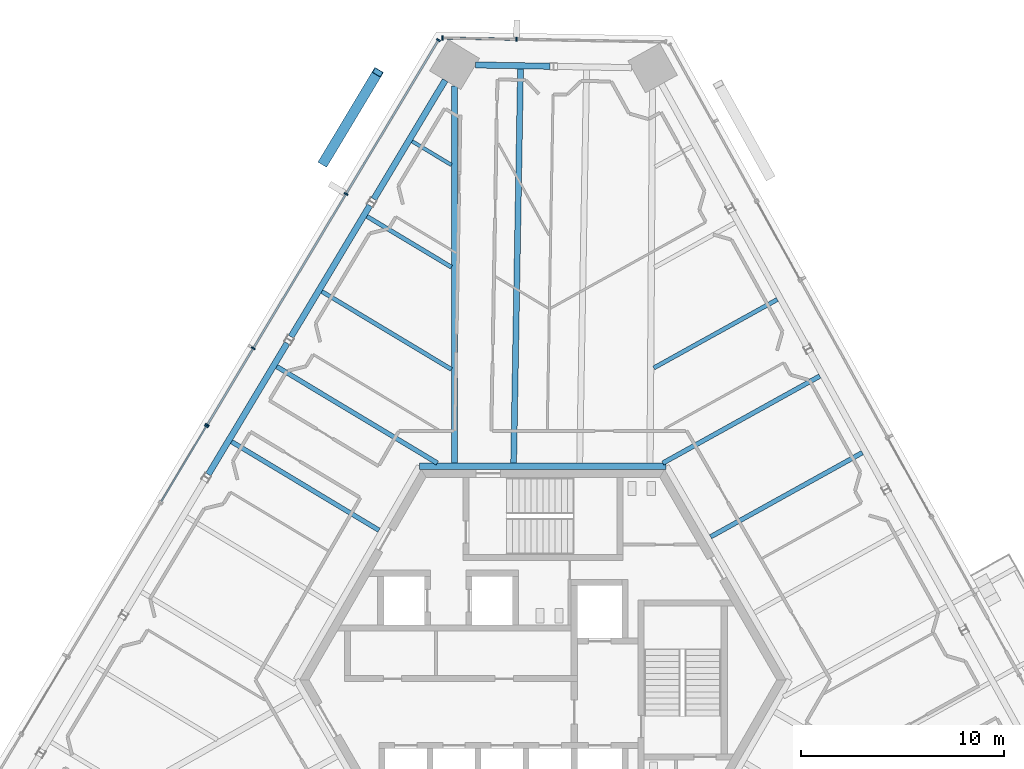
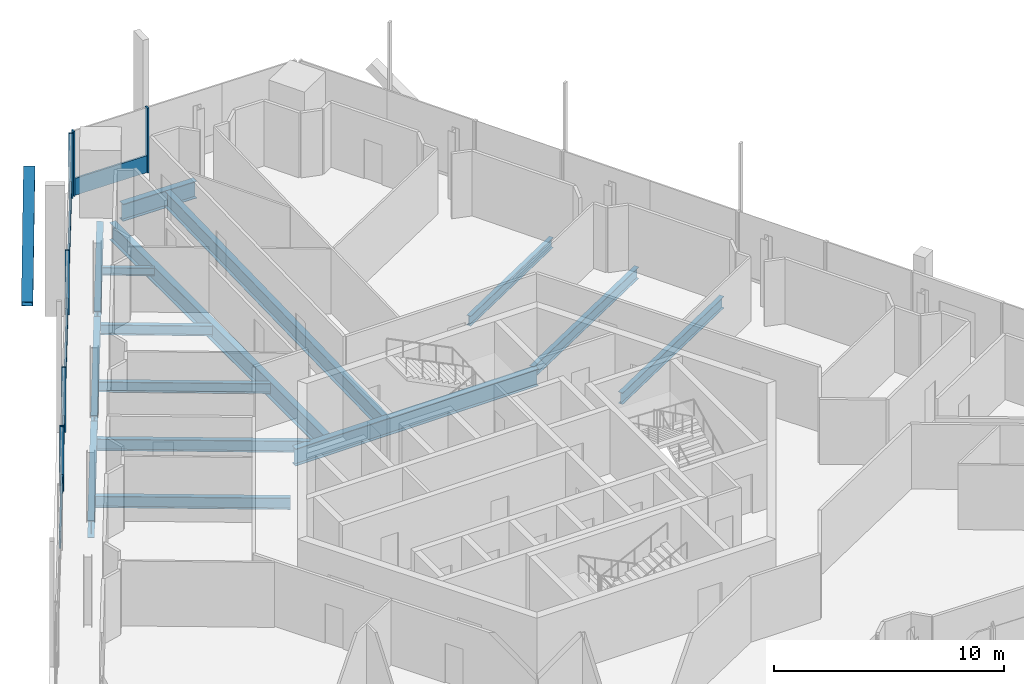
# One storey, part 8 of 22: 15 beams, 13 members, 3 elements without a shape of their own.
"""IFC4 building model written with IfcOpenShell, lengths in metres."""

from ifc_helpers import new_model, si_unit, direction, frame, origin, origin_2d, place, context, subcontext, project, spatial, rectangle, hollow_rectangle, i_section, extrude, source, transform, mapped, material, material_profile, profile_set, type_object, element, aggregate, save


model = new_model("IFC4")

# Units and contexts
model_context = context("Model", 3, precision=1e-05, world=origin(), true_north=direction((0.0, 1.0)))
body_context = subcontext(model_context, "Body", "Model", "MODEL_VIEW")
ifc_project = project(units=[si_unit("LENGTHUNIT", "METRE"), si_unit("AREAUNIT", "SQUARE_METRE"), si_unit("VOLUMEUNIT", "CUBIC_METRE"), si_unit("PLANEANGLEUNIT", "RADIAN"), si_unit("MASSUNIT", "GRAM", prefix="KILO")], contexts=[model_context])

# Site, building, storey
site_placement = place(None, origin())
site = spatial("IfcSite", under=ifc_project, at=site_placement, CompositionType="ELEMENT")
building_placement = place(site_placement, origin())
building = spatial("IfcBuilding", under=site, at=building_placement, Name="Triune Harvest Tower", CompositionType="ELEMENT")
storey_placement = place(building_placement, frame((0.0, 0.0, 208.699951171875)))
storey = spatial("IfcBuildingStorey", under=building, at=storey_placement, Name="L54", CompositionType="ELEMENT", Elevation=208.699951171875)

# Beams
ifc_material_1 = material(Name="Steel ASTM A992 Gr 50", Category="steel")
ifc_material_profile_1 = material_profile(ifc_material_1, i_section(OverallWidth=0.3046875, OverallDepth=0.914306640625, WebThickness=0.0166015625, FlangeThickness=0.02587890625, at=origin_2d()), Name="W36x160")
ifc_profile_set_1 = profile_set([ifc_material_profile_1], Name="Steel ASTM A992 Gr 50")
beam_type_1 = type_object("IfcBeamType", Name="CG-1 Core ring girder W36x160", PredefinedType="BEAM", material=ifc_profile_set_1)
shared_shape_1 = source(origin(), body_context, "Body", "SweptSolid", [
    extrude(i_section(OverallWidth=0.3046875, OverallDepth=0.914306640625, WebThickness=0.0166015625, FlangeThickness=0.02587890625, at=origin_2d()), origin(), (0.0, 0.0, 1.0), 12.17578125),
])
beam_1_placement = place(storey_placement, frame((6.087890625, 10.544677734375, -0.6171875), z_axis=(-1.0, 0.0, 0.0), x_axis=(0.0, -1.0, 0.0)))
element("IfcBeam", 1, at=beam_1_placement, inside=storey, type_object=beam_type_1, Name="beam/L54/CG2", PredefinedType="BEAM", context=body_context, shape_type="MappedRepresentation", body=[
    mapped(shared_shape_1, transform((0.0, 0.0, 0.0), scale=1.0)),
])
ifc_material_2 = material(Name="Steel ASTM A992 Gr 50", Category="steel")
ifc_material_profile_2 = material_profile(ifc_material_2, i_section(OverallWidth=0.3046875, OverallDepth=0.914306640625, WebThickness=0.0166015625, FlangeThickness=0.02587890625, at=origin_2d()), Name="W36x160")
ifc_profile_set_2 = profile_set([ifc_material_profile_2], Name="Steel ASTM A992 Gr 50")
beam_type_2 = type_object("IfcBeamType", Name="SB-1 Spandrel beam W36x160", PredefinedType="SPANDREL", material=ifc_profile_set_2)
shared_shape_2 = source(origin(), body_context, "Body", "SweptSolid", [
    extrude(i_section(OverallWidth=0.3046875, OverallDepth=0.914306640625, WebThickness=0.0166015625, FlangeThickness=0.02587890625, at=origin_2d()), origin(), (0.0, 0.0, 1.0), 3.66357421875),
])
beam_2_placement = place(storey_placement, frame((0.343017578125, 30.281494140625, -0.6171875), z_axis=(-0.999846408449, 0.01752596677, 0.0), x_axis=(-0.01752596677, -0.999846408449, 0.0)))
element("IfcBeam", 2, at=beam_2_placement, inside=storey, type_object=beam_type_2, Name="beam/L54/SB8", PredefinedType="SPANDREL", context=body_context, shape_type="MappedRepresentation", body=[
    mapped(shared_shape_2, transform((0.0, 0.0, 0.0), scale=1.0)),
])
shared_shape_3 = source(origin(), body_context, "Body", "SweptSolid", [
    extrude(i_section(OverallWidth=0.3046875, OverallDepth=0.914306640625, WebThickness=0.0166015625, FlangeThickness=0.02587890625, at=origin_2d()), origin(), (0.0, 0.0, 1.0), 6.842041015625),
])
beam_3_placement = place(storey_placement, frame((-4.822509765625, 29.59228515625, -0.6171875), z_axis=(-0.515041383774, -0.857165312527, 0.0), x_axis=(0.857165312527, -0.515041383774, 0.0)))
element("IfcBeam", 3, at=beam_3_placement, inside=storey, type_object=beam_type_2, Name="beam/L54/SB9", PredefinedType="SPANDREL", context=body_context, shape_type="MappedRepresentation", body=[
    mapped(shared_shape_3, transform((0.0, 0.0, 0.0), scale=1.0)),
])
shared_shape_4 = source(origin(), body_context, "Body", "SweptSolid", [
    extrude(i_section(OverallWidth=0.3046875, OverallDepth=0.914306640625, WebThickness=0.0166015625, FlangeThickness=0.02587890625, at=origin_2d()), origin(), (0.0, 0.0, 1.0), 7.556640625),
])
for number, where, z_axis, x_axis, name in (
    (4, (-8.537353515625, 23.409912109375, -0.6171875), (-0.515027794287, -0.857173477839, 0.0), (0.857173477839, -0.515027794287, 0.0), "beam/L54/SB10"),
    (5, (-12.6201171875, 16.614990234375, -0.6171875), (-0.515027794287, -0.857173477839, 0.0), (0.857173477839, -0.515027794287, 0.0), "beam/L54/SB11"),
):
    element("IfcBeam", number, at=place(storey_placement, frame(where, z_axis=z_axis, x_axis=x_axis)), inside=storey, type_object=beam_type_2, Name=name, PredefinedType="SPANDREL", context=body_context, shape_type="MappedRepresentation", body=[
        mapped(shared_shape_4, transform((0.0, 0.0, 0.0), scale=1.0)),
    ])
ifc_material_3 = material(Name="Steel ASTM A992 Gr 50", Category="steel")
ifc_material_profile_3 = material_profile(ifc_material_3, i_section(OverallWidth=0.307373046875, OverallDepth=0.922119140625, WebThickness=0.018310546875, FlangeThickness=0.030029296875, at=origin_2d()), Name="W36x182")
ifc_profile_set_3 = profile_set([ifc_material_profile_3], Name="Steel ASTM A992 Gr 50")
beam_type_3 = type_object("IfcBeamType", Name="HG-2 Hip girder W36x182", PredefinedType="BEAM", material=ifc_profile_set_3)
shared_shape_5 = source(origin(), body_context, "Body", "SweptSolid", [
    extrude(i_section(OverallWidth=0.307373046875, OverallDepth=0.922119140625, WebThickness=0.018310546875, FlangeThickness=0.030029296875, at=origin_2d()), origin(), (0.0, 0.0, 1.0), 18.61669921875),
])
beam_4_placement = place(storey_placement, frame((-4.359130859375, 29.313720703125, -0.620849609375), z_axis=(0.0, -1.0, 0.0), x_axis=(1.0, 0.0, 0.0)))
element("IfcBeam", 6, at=beam_4_placement, inside=storey, type_object=beam_type_3, Name="beam/L54/HG4", PredefinedType="BEAM", context=body_context, shape_type="MappedRepresentation", body=[
    mapped(shared_shape_5, transform((0.0, 0.0, 0.0), scale=1.0)),
])
ifc_material_4 = material(Name="Steel ASTM A992 Gr 50", Category="steel")
ifc_material_profile_4 = material_profile(ifc_material_4, i_section(OverallWidth=0.180908203125, OverallDepth=0.41650390625, WebThickness=0.010986328125, FlangeThickness=0.01806640625, at=origin_2d()), Name="W16x57")
ifc_profile_set_4 = profile_set([ifc_material_profile_4], Name="Steel ASTM A992 Gr 50")
beam_type_4 = type_object("IfcBeamType", Name="JT-1 Floor joist W16x57", PredefinedType="JOIST", material=ifc_profile_set_4)
shared_shape_6 = source(origin(), body_context, "Body", "SweptSolid", [
    extrude(i_section(OverallWidth=0.180908203125, OverallDepth=0.41650390625, WebThickness=0.010986328125, FlangeThickness=0.01806640625, at=origin_2d()), origin(), (0.0, 0.0, 1.0), 2.266357421875),
])
beam_5_placement = place(storey_placement, frame((-6.455322265625, 26.578857421875, -0.3681640625), z_axis=(0.857169580884, -0.515034280031, 0.0), x_axis=(0.515034280031, 0.857169580884, 0.0)))
element("IfcBeam", 7, at=beam_5_placement, inside=storey, type_object=beam_type_4, Name="beam/L54/JT13", PredefinedType="JOIST", context=body_context, shape_type="MappedRepresentation", body=[
    mapped(shared_shape_6, transform((0.0, 0.0, 0.0), scale=1.0)),
])
ifc_material_5 = material(Name="Steel ASTM A992 Gr 50", Category="steel")
ifc_material_profile_5 = material_profile(ifc_material_5, i_section(OverallWidth=0.22900390625, OverallDepth=0.612060546875, WebThickness=0.011962890625, FlangeThickness=0.01953125, at=origin_2d()), Name="W24x84")
ifc_profile_set_5 = profile_set([ifc_material_profile_5], Name="Steel ASTM A992 Gr 50")
beam_type_5 = type_object("IfcBeamType", Name="JT-3 Floor joist W24x84", PredefinedType="JOIST", material=ifc_profile_set_5)
shared_shape_7 = source(origin(), body_context, "Body", "SweptSolid", [
    extrude(i_section(OverallWidth=0.22900390625, OverallDepth=0.612060546875, WebThickness=0.011962890625, FlangeThickness=0.01953125, at=origin_2d()), origin(), (0.0, 0.0, 1.0), 9.247314453125),
])
beam_6_placement = place(storey_placement, frame((-13.136474609375, 15.459716796875, -0.466064453125), z_axis=(0.857168952485, -0.515035325872, 0.0), x_axis=(0.515035325872, 0.857168952485, 0.0)))
element("IfcBeam", 8, at=beam_6_placement, inside=storey, type_object=beam_type_5, Name="beam/L54/JT16", PredefinedType="JOIST", context=body_context, shape_type="MappedRepresentation", body=[
    mapped(shared_shape_7, transform((0.0, 0.0, 0.0), scale=1.0)),
])
shared_shape_8 = source(origin(), body_context, "Body", "SweptSolid", [
    extrude(i_section(OverallWidth=0.22900390625, OverallDepth=0.612060546875, WebThickness=0.011962890625, FlangeThickness=0.01953125, at=origin_2d()), origin(), (0.0, 0.0, 1.0), 8.561767578125),
])
beam_7_placement = place(storey_placement, frame((15.764404296875, 11.210205078125, -0.466064453125), z_axis=(-0.87461689263, -0.484814697721, 0.0), x_axis=(0.484814697721, -0.87461689263, 0.0)))
element("IfcBeam", 9, at=beam_7_placement, inside=storey, type_object=beam_type_5, Name="beam/L54/JT6", PredefinedType="JOIST", context=body_context, shape_type="MappedRepresentation", body=[
    mapped(shared_shape_8, transform((0.0, 0.0, 0.0), scale=1.0)),
])
shared_shape_9 = source(origin(), body_context, "Body", "SweptSolid", [
    extrude(i_section(OverallWidth=0.22900390625, OverallDepth=0.612060546875, WebThickness=0.011962890625, FlangeThickness=0.01953125, at=origin_2d()), origin(), (0.0, 0.0, 1.0), 8.85888671875),
])
beam_8_placement = place(storey_placement, frame((13.66796875, 14.991943359375, -0.466064453125), z_axis=(-0.874614472557, -0.484819063563, 0.0), x_axis=(0.484819063563, -0.874614472557, 0.0)))
element("IfcBeam", 10, at=beam_8_placement, inside=storey, type_object=beam_type_5, Name="beam/L54/JT7", PredefinedType="JOIST", context=body_context, shape_type="MappedRepresentation", body=[
    mapped(shared_shape_9, transform((0.0, 0.0, 0.0), scale=1.0)),
])
ifc_material_6 = material(Name="Steel ASTM A992 Gr 50", Category="steel")
ifc_material_profile_6 = material_profile(ifc_material_6, i_section(OverallWidth=0.2099609375, OverallDepth=0.535888671875, WebThickness=0.010986328125, FlangeThickness=0.017333984375, at=origin_2d()), Name="W21x68")
ifc_profile_set_6 = profile_set([ifc_material_profile_6], Name="Steel ASTM A992 Gr 50")
beam_type_6 = type_object("IfcBeamType", Name="JT-2 Floor joist W21x68", PredefinedType="JOIST", material=ifc_profile_set_6)
shared_shape_10 = source(origin(), body_context, "Body", "SweptSolid", [
    extrude(i_section(OverallWidth=0.2099609375, OverallDepth=0.535888671875, WebThickness=0.010986328125, FlangeThickness=0.017333984375, at=origin_2d()), origin(), (0.0, 0.0, 1.0), 6.97265625),
])
beam_9_placement = place(storey_placement, frame((11.57177734375, 18.773681640625, -0.427978515625), z_axis=(-0.874620980943, -0.484807322236, 0.0), x_axis=(0.484807322236, -0.874620980943, 0.0)))
element("IfcBeam", 11, at=beam_9_placement, inside=storey, type_object=beam_type_6, Name="beam/L54/JT8", PredefinedType="JOIST", context=body_context, shape_type="MappedRepresentation", body=[
    mapped(shared_shape_10, transform((0.0, 0.0, 0.0), scale=1.0)),
])
ifc_material_7 = material(Name="Steel ASTM A992 Gr 50", Category="steel")
ifc_material_profile_7 = material_profile(ifc_material_7, i_section(OverallWidth=0.2919921875, OverallDepth=0.8408203125, WebThickness=0.0146484375, FlangeThickness=0.021728515625, at=origin_2d()), Name="W33x130")
ifc_profile_set_7 = profile_set([ifc_material_profile_7], Name="Steel ASTM A992 Gr 50")
beam_type_7 = type_object("IfcBeamType", Name="JT-6 Floor joist W33x130", PredefinedType="JOIST", material=ifc_profile_set_7)
shared_shape_11 = source(origin(), body_context, "Body", "SweptSolid", [
    extrude(i_section(OverallWidth=0.2919921875, OverallDepth=0.8408203125, WebThickness=0.0146484375, FlangeThickness=0.021728515625, at=origin_2d()), origin(), (0.0, 0.0, 1.0), 19.460205078125),
])
beam_10_placement = place(storey_placement, frame((-1.103515625, 30.154296875, -0.580322265625), z_axis=(-0.017450947707, -0.999847720618, 0.0), x_axis=(0.999847720618, -0.017450947707, 0.0)))
element("IfcBeam", 12, at=beam_10_placement, inside=storey, type_object=beam_type_7, Name="beam/L54/JT12", PredefinedType="JOIST", context=body_context, shape_type="MappedRepresentation", body=[
    mapped(shared_shape_11, transform((0.0, 0.0, 0.0), scale=1.0)),
])
shared_shape_12 = source(origin(), body_context, "Body", "SweptSolid", [
    extrude(i_section(OverallWidth=0.2099609375, OverallDepth=0.535888671875, WebThickness=0.010986328125, FlangeThickness=0.017333984375, at=origin_2d()), origin(), (0.0, 0.0, 1.0), 4.864501953125),
])
beam_11_placement = place(storey_placement, frame((-8.682373046875, 22.87255859375, -0.427978515625), z_axis=(0.857169483424, -0.515034442233, 0.0), x_axis=(0.515034442233, 0.857169483424, 0.0)))
element("IfcBeam", 13, at=beam_11_placement, inside=storey, type_object=beam_type_6, Name="beam/L54/JT14", PredefinedType="JOIST", context=body_context, shape_type="MappedRepresentation", body=[
    mapped(shared_shape_12, transform((0.0, 0.0, 0.0), scale=1.0)),
])
shared_shape_13 = source(origin(), body_context, "Body", "SweptSolid", [
    extrude(i_section(OverallWidth=0.2099609375, OverallDepth=0.535888671875, WebThickness=0.010986328125, FlangeThickness=0.017333984375, at=origin_2d()), origin(), (0.0, 0.0, 1.0), 7.462646484375),
])
beam_12_placement = place(storey_placement, frame((-10.909423828125, 19.166259765625, -0.427978515625), z_axis=(0.857169453827, -0.515034491492, 0.0), x_axis=(0.515034491492, 0.857169453827, 0.0)))
element("IfcBeam", 14, at=beam_12_placement, inside=storey, type_object=beam_type_6, Name="beam/L54/JT15", PredefinedType="JOIST", context=body_context, shape_type="MappedRepresentation", body=[
    mapped(shared_shape_13, transform((0.0, 0.0, 0.0), scale=1.0)),
])
shared_shape_14 = source(origin(), body_context, "Body", "SweptSolid", [
    extrude(i_section(OverallWidth=0.22900390625, OverallDepth=0.612060546875, WebThickness=0.011962890625, FlangeThickness=0.01953125, at=origin_2d()), origin(), (0.0, 0.0, 1.0), 8.48583984375),
])
beam_13_placement = place(storey_placement, frame((-15.36328125, 11.75341796875, -0.466064453125), z_axis=(0.857160193187, -0.515049903616, 0.0), x_axis=(0.515049903616, 0.857160193187, 0.0)))
element("IfcBeam", 15, at=beam_13_placement, inside=storey, type_object=beam_type_5, Name="beam/L54/JT17", PredefinedType="JOIST", context=body_context, shape_type="MappedRepresentation", body=[
    mapped(shared_shape_14, transform((0.0, 0.0, 0.0), scale=1.0)),
])

# Member
ifc_material_8 = material(Name="Steel ASTM A572 Gr 50", Category="steel")
ifc_material_profile_8 = material_profile(ifc_material_8, hollow_rectangle(XDim=0.5, YDim=0.5, WallThickness=0.030029296875, at=origin_2d()), Name="Box 500x500x30")
ifc_profile_set_8 = profile_set([ifc_material_profile_8], Name="Steel ASTM A572 Gr 50")
member_type_1 = type_object("IfcMemberType", Name="BR-3 Brace Box 500x500x30", PredefinedType="BRACE", material=ifc_profile_set_8)
shared_shape_15 = source(origin(), body_context, "Body", "SweptSolid", [
    extrude(hollow_rectangle(XDim=0.5, YDim=0.5, WallThickness=0.030029296875, at=origin_2d()), origin(), (0.0, 0.0, 1.0), 6.302978515625),
])
member_1_placement = place(storey_placement, frame((-10.81396484375, 25.546875, 0.0), z_axis=(0.422741643471, 0.703601058607, 0.571169898719), x_axis=(-0.857180490419, 0.515016122898, 0.0)))
element("IfcMember", 16, at=member_1_placement, inside=storey, type_object=member_type_1, Name="brace/B5-F3/d2/9", PredefinedType="BRACE", context=body_context, shape_type="MappedRepresentation", body=[
    mapped(shared_shape_15, transform((0.0, 0.0, 0.0), scale=1.0)),
])

# Curtain wall, members
ifc_material_9 = material(Name="Aluminium bronze anodised", Category="aluminium")
curtain_wall_type_1 = type_object("IfcCurtainWallType", Name="CW-7 Tower stick curtain wall with insulated spandrel infill", PredefinedType="NOTDEFINED", material=ifc_material_9)
curtain_wall_1_placement = place(storey_placement, origin())
curtain_wall_1 = element("IfcCurtainWall", 17, at=curtain_wall_1_placement, inside=storey, type_object=curtain_wall_type_1, Name="CW-7 B5-F2 L54 run 1")
ifc_material_10 = material(Name="Aluminium bronze anodised", Category="aluminium")
ifc_material_profile_9 = material_profile(ifc_material_10, rectangle(XDim=0.199951171875, YDim=0.074951171875, at=origin_2d()), Name="MU-1 mullion 75 x 200")
ifc_profile_set_9 = profile_set([ifc_material_profile_9], Name="Aluminium bronze anodised")
member_type_2 = type_object("IfcMemberType", Name="MU-1 mullion 75 x 200", PredefinedType="MULLION", material=ifc_profile_set_9)
shared_shape_16 = source(origin(), body_context, "Body", "SweptSolid", [
    extrude(rectangle(XDim=0.199951171875, YDim=0.074951171875, at=origin_2d()), origin(), (0.0, 0.0, 1.0), 3.43994140625),
])
member_2_placement = place(storey_placement, frame((-1.298583984375, 31.612548828125, 0.0), z_axis=(0.0, 0.0, 1.0), x_axis=(-0.017446318452, -0.999847801404, 0.0)))
member_2 = element("IfcMember", 18, at=member_2_placement, type_object=member_type_2, Name="CW-7 mullion B5-F2 1.3", PredefinedType="MULLION", context=body_context, shape_type="MappedRepresentation", body=[
    mapped(shared_shape_16, transform((0.0, 0.0, 0.0), scale=1.0)),
])
member_3_placement = place(storey_placement, frame((-4.960693359375, 31.676513671875, 0.0), z_axis=(0.0, 0.0, 1.0), x_axis=(-0.017446318452, -0.999847801404, 0.0)))
member_3 = element("IfcMember", 19, at=member_3_placement, type_object=member_type_2, Name="CW-7 mullion B5-F2 1.4", PredefinedType="MULLION", context=body_context, shape_type="MappedRepresentation", body=[
    mapped(shared_shape_16, transform((0.0, 0.0, 0.0), scale=1.0)),
])

curtain_wall_2_placement = place(storey_placement, origin())
curtain_wall_2 = element("IfcCurtainWall", 20, at=curtain_wall_2_placement, inside=storey, type_object=curtain_wall_type_1, Name="CW-7 B5-F3 L54 run 1")
member_4_placement = place(storey_placement, frame((-5.15380859375, 31.5693359375, 0.0), z_axis=(0.0, 0.0, 1.0), x_axis=(0.85716846754, -0.51503613296, 0.0)))
member_4 = element("IfcMember", 21, at=member_4_placement, type_object=member_type_2, Name="CW-7 mullion B5-F3 1.1", PredefinedType="MULLION", context=body_context, shape_type="MappedRepresentation", body=[
    mapped(shared_shape_16, transform((0.0, 0.0, 0.0), scale=1.0)),
])
member_5_placement = place(storey_placement, frame((-9.71240234375, 23.982666015625, 0.0), z_axis=(0.0, 0.0, 1.0), x_axis=(0.85716846754, -0.51503613296, 0.0)))
member_5 = element("IfcMember", 22, at=member_5_placement, type_object=member_type_2, Name="CW-7 mullion B5-F3 1.3", PredefinedType="MULLION", context=body_context, shape_type="MappedRepresentation", body=[
    mapped(shared_shape_16, transform((0.0, 0.0, 0.0), scale=1.0)),
])
member_6_placement = place(storey_placement, frame((-14.290283203125, 16.36376953125, 0.0), z_axis=(0.0, 0.0, 1.0), x_axis=(0.85716846754, -0.51503613296, 0.0)))
member_6 = element("IfcMember", 23, at=member_6_placement, type_object=member_type_2, Name="CW-7 mullion B5-F3 1.5", PredefinedType="MULLION", context=body_context, shape_type="MappedRepresentation", body=[
    mapped(shared_shape_16, transform((0.0, 0.0, 0.0), scale=1.0)),
])
member_7_placement = place(storey_placement, frame((-16.559814453125, 12.58642578125, 0.0), z_axis=(0.0, 0.0, 1.0), x_axis=(0.85716846754, -0.51503613296, 0.0)))
member_7 = element("IfcMember", 24, at=member_7_placement, type_object=member_type_2, Name="CW-7 mullion B5-F3 1.6", PredefinedType="MULLION", context=body_context, shape_type="MappedRepresentation", body=[
    mapped(shared_shape_16, transform((0.0, 0.0, 0.0), scale=1.0)),
])

# Curtain wall, member
ifc_material_11 = material(Name="Aluminium bronze anodised", Category="aluminium")
curtain_wall_type_2 = type_object("IfcCurtainWallType", Name="CW-1 Tower stick curtain wall", PredefinedType="NOTDEFINED", material=ifc_material_11)
curtain_wall_3_placement = place(storey_placement, origin())
curtain_wall_3 = element("IfcCurtainWall", 25, at=curtain_wall_3_placement, inside=storey, type_object=curtain_wall_type_2, Name="CW-1 B5-F3 L54 run 1001")
member_8_placement = place(storey_placement, frame((-16.5986328125, 12.52197265625, 0.0), z_axis=(0.0, 0.0, 1.0), x_axis=(0.857165167795, -0.515041624648, 0.0)))
member_8 = element("IfcMember", 26, at=member_8_placement, type_object=member_type_2, Name="CW-1 mullion B5-F3 1001.1", PredefinedType="MULLION", context=body_context, shape_type="MappedRepresentation", body=[
    mapped(shared_shape_16, transform((0.0, 0.0, 0.0), scale=1.0)),
])

# Member
ifc_material_12 = material(Name="Aluminium bronze anodised", Category="aluminium")
ifc_material_profile_10 = material_profile(ifc_material_12, rectangle(XDim=0.090087890625, YDim=0.89990234375, at=origin_2d()), Name="TR-1 transom 90 x 900")
ifc_profile_set_10 = profile_set([ifc_material_profile_10], Name="Aluminium bronze anodised")
member_type_3 = type_object("IfcMemberType", Name="TR-1 transom 90 x 900", PredefinedType="USERDEFINED", material=ifc_profile_set_10)
shared_shape_17 = source(origin(), body_context, "Body", "SweptSolid", [
    extrude(rectangle(XDim=0.090087890625, YDim=0.89990234375, at=origin_2d()), origin(), (0.0, 0.0, 1.0), 3.58740234375),
])
member_9_placement = place(storey_placement, frame((-1.336181640625, 31.61328125, 0.449951171875), z_axis=(-0.999848228853, 0.017421804151, 0.0), x_axis=(-0.017421804151, -0.999848228853, 0.0)))
member_9 = element("IfcMember", 27, at=member_9_placement, type_object=member_type_3, Name="CW-7 transom B5-F2 1.2", ObjectType="TRANSOM", PredefinedType="USERDEFINED", context=body_context, shape_type="MappedRepresentation", body=[
    mapped(shared_shape_17, transform((0.0, 0.0, 0.0), scale=1.0)),
])

aggregate(curtain_wall_1, [member_2, member_3, member_9])

shared_shape_18 = source(origin(), body_context, "Body", "SweptSolid", [
    extrude(rectangle(XDim=0.090087890625, YDim=0.89990234375, at=origin_2d()), origin(), (0.0, 0.0, 1.0), 8.776123046875),
])
member_10_placement = place(storey_placement, frame((-5.173095703125, 31.537353515625, 0.449951171875), z_axis=(-0.515031570023, -0.857171209199, 0.0), x_axis=(0.857171209199, -0.515031570023, 0.0)))
member_10 = element("IfcMember", 28, at=member_10_placement, type_object=member_type_3, Name="CW-7 transom B5-F3 1.1", ObjectType="TRANSOM", PredefinedType="USERDEFINED", context=body_context, shape_type="MappedRepresentation", body=[
    mapped(shared_shape_18, transform((0.0, 0.0, 0.0), scale=1.0)),
])

shared_shape_19 = source(origin(), body_context, "Body", "SweptSolid", [
    extrude(rectangle(XDim=0.090087890625, YDim=0.89990234375, at=origin_2d()), origin(), (0.0, 0.0, 1.0), 4.331787109375),
])
member_11_placement = place(storey_placement, frame((-14.3095703125, 16.33154296875, 0.449951171875), z_axis=(-0.515017819003, -0.857179471353, 0.0), x_axis=(0.857179471353, -0.515017819003, 0.0)))
member_11 = element("IfcMember", 29, at=member_11_placement, type_object=member_type_3, Name="CW-7 transom B5-F3 1.3", ObjectType="TRANSOM", PredefinedType="USERDEFINED", context=body_context, shape_type="MappedRepresentation", body=[
    mapped(shared_shape_19, transform((0.0, 0.0, 0.0), scale=1.0)),
])

shared_shape_20 = source(origin(), body_context, "Body", "SweptSolid", [
    extrude(rectangle(XDim=0.090087890625, YDim=0.89990234375, at=origin_2d()), origin(), (0.0, 0.0, 1.0), 8.8134765625),
])
member_12_placement = place(storey_placement, frame((-9.731689453125, 23.950439453125, 0.449951171875), z_axis=(-0.515037444076, -0.857167679745, 0.0), x_axis=(0.857167679745, -0.515037444076, 0.0)))
member_12 = element("IfcMember", 30, at=member_12_placement, type_object=member_type_3, Name="CW-7 transom B5-F3 1.2", ObjectType="TRANSOM", PredefinedType="USERDEFINED", context=body_context, shape_type="MappedRepresentation", body=[
    mapped(shared_shape_20, transform((0.0, 0.0, 0.0), scale=1.0)),
])

aggregate(curtain_wall_2, [member_4, member_5, member_6, member_7, member_10, member_12, member_11])

shared_shape_21 = source(origin(), body_context, "Body", "SweptSolid", [
    extrude(rectangle(XDim=0.090087890625, YDim=0.89990234375, at=origin_2d()), origin(), (0.0, 0.0, 1.0), 4.294189453125),
])
member_13_placement = place(storey_placement, frame((-16.617919921875, 12.489990234375, 0.449951171875), z_axis=(-0.515030741708, -0.857171706892, 0.0), x_axis=(0.857171706892, -0.515030741708, 0.0)))
member_13 = element("IfcMember", 31, at=member_13_placement, type_object=member_type_3, Name="CW-1 transom B5-F3 1001.1", ObjectType="TRANSOM", PredefinedType="USERDEFINED", context=body_context, shape_type="MappedRepresentation", body=[
    mapped(shared_shape_21, transform((0.0, 0.0, 0.0), scale=1.0)),
])

aggregate(curtain_wall_3, [member_8, member_13])

save(model, "model.ifc")
